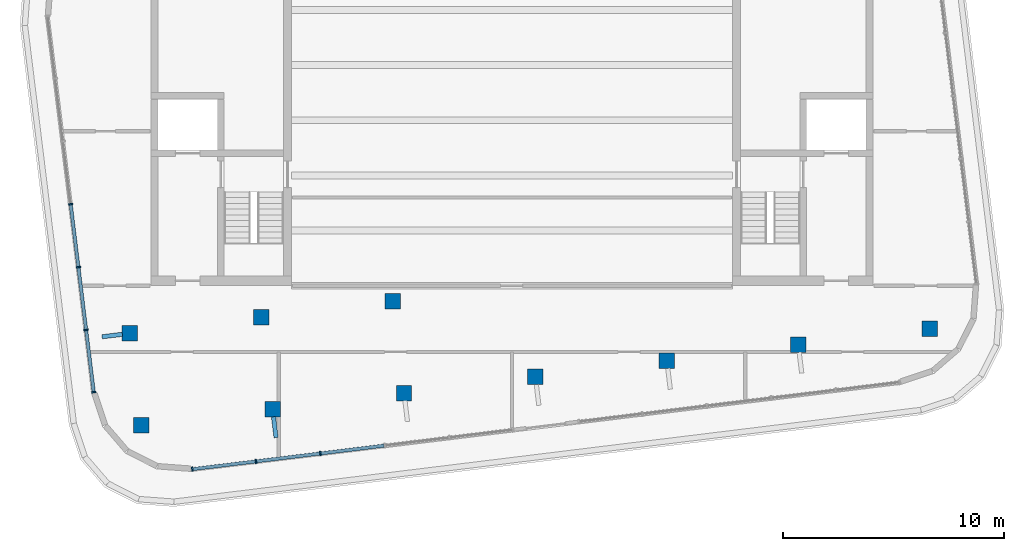
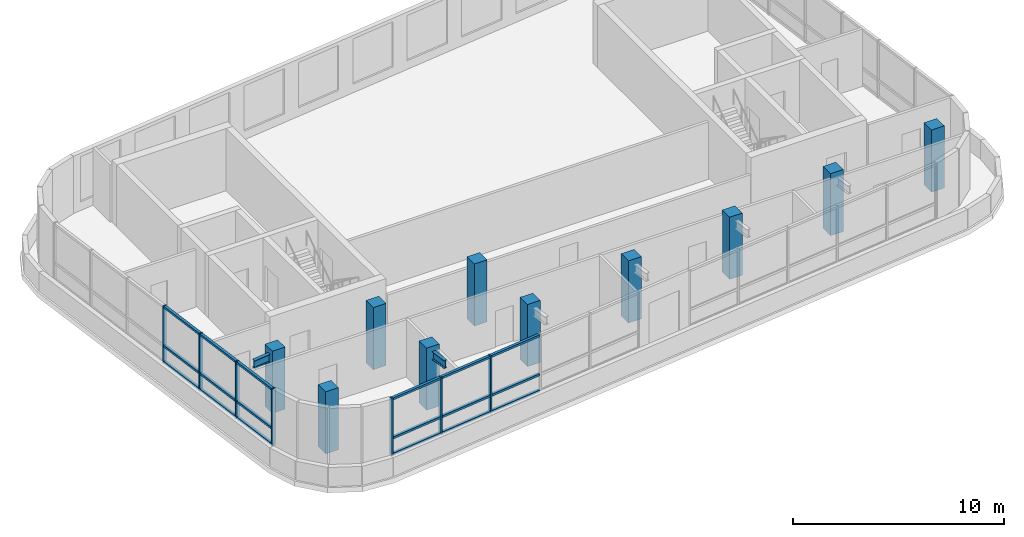
# One storey, part 1 of 8: 25 members, 10 columns, 2 beams, 2 elements without a shape of their own.
"""IFC4 building model written with IfcOpenShell, lengths in metres."""

from ifc_helpers import new_model, si_unit, direction, frame, origin, origin_2d, place, context, subcontext, project, spatial, rectangle, i_section, extrude, material, layer, layer_set, material_profile, profile_set, type_object, element, aggregate, save


model = new_model("IFC4")

# Units and contexts
model_context = context("Model", 3, precision=1e-05, world=origin(), true_north=direction((0.0, 1.0)))
body_context = subcontext(model_context, "Body", "Model", "MODEL_VIEW")
ifc_project = project(units=[si_unit("LENGTHUNIT", "METRE"), si_unit("AREAUNIT", "SQUARE_METRE"), si_unit("VOLUMEUNIT", "CUBIC_METRE"), si_unit("PLANEANGLEUNIT", "RADIAN"), si_unit("MASSUNIT", "GRAM", prefix="KILO")], contexts=[model_context])

# Site, building, storey
site_placement = place(None, origin())
site = spatial("IfcSite", under=ifc_project, at=site_placement, CompositionType="ELEMENT")
building_placement = place(site_placement, origin())
building = spatial("IfcBuilding", under=site, at=building_placement, Name="Torana Hotel and Residences", CompositionType="ELEMENT")
storey_placement = place(building_placement, frame((0.0, 0.0, 350.199951171875)))
storey = spatial("IfcBuildingStorey", under=building, at=storey_placement, Name="C2", CompositionType="ELEMENT", Elevation=350.199951171875)

# Columns
ifc_material_1 = material(Name="Concrete C40/50", Category="concrete")
ifc_material_profile_1 = material_profile(ifc_material_1, rectangle(XDim=0.699951171875, YDim=0.699951171875, at=origin_2d()), Name="RC 700x700")
ifc_profile_set_1 = profile_set([ifc_material_profile_1], Name="Concrete C40/50")
column_type = type_object("IfcColumnType", Name="COLUMN RC 700x700 C40/50", PredefinedType="COLUMN", material=ifc_profile_set_1)
for number, where, z_axis, x_axis, name in (
    (1, (-17.31689453125, -17.159912109375, 0.0), (0.0, 0.0, 1.0), (1.0, 0.0, 0.0), "Column C2"),
    (2, (-16.805908203125, -21.3291015625, 0.0), (0.0, 0.0, 1.0), (1.0, 0.0, 0.0), "Column C2"),
    (3, (-11.362060546875, -16.428955078125, 0.0), (0.0, 0.0, 1.0), (1.0, 0.0, 0.0), "Column C2"),
    (4, (-10.85009765625, -20.597900390625, 0.0), (0.0, 0.0, 1.0), (1.0, 0.0, 0.0), "Column C2"),
    (5, (-5.406982421875, -15.697998046875, 0.0), (0.0, 0.0, 1.0), (1.0, 0.0, 0.0), "Column C2"),
    (6, (-4.89501953125, -19.865966796875, 0.0), (0.0, 0.0, 1.0), (1.0, 0.0, 0.0), "Column C2"),
    (7, (1.06005859375, -19.135009765625, 0.0), (0.0, 0.0, 1.0), (1.0, 0.0, 0.0), "Column C2"),
    (8, (7.01611328125, -18.404052734375, 0.0), (0.0, 0.0, 1.0), (1.0, 0.0, 0.0), "Column C2"),
    (9, (12.970947265625, -17.673095703125, 0.0), (0.0, 0.0, 1.0), (1.0, 0.0, 0.0), "Column C2"),
    (10, (18.926025390625, -16.94189453125, 0.0), (0.0, 0.0, 1.0), (1.0, 0.0, 0.0), "Column C2"),
):
    element("IfcColumn", number, at=place(storey_placement, frame(where, z_axis=z_axis, x_axis=x_axis)), inside=storey, type_object=column_type, Name=name, PredefinedType="COLUMN", context=body_context, shape_type="SweptSolid", body=[
        extrude(rectangle(XDim=0.699951171875, YDim=0.699951171875, at=origin_2d()), origin(), (0.0, 0.0, 1.0), 3.60009765625),
    ])

# Beams
ifc_material_2 = material(Name="Steel S355", Category="steel")
ifc_material_profile_2 = material_profile(ifc_material_2, i_section(OverallWidth=0.19287109375, OverallDepth=0.46728515625, WebThickness=0.011474609375, FlangeThickness=0.01953125, FilletRadius=0.01025390625, at=origin_2d()), Name="457x191x98 UB")
ifc_profile_set_2 = profile_set([ifc_material_profile_2], Name="Steel S355")
beam_type = type_object("IfcBeamType", Name="BALCONY CANTILEVER BEAM 457x191x98 UB", PredefinedType="BEAM", material=ifc_profile_set_2)
beam_1_placement = place(storey_placement, frame((-17.656982421875, -17.201904296875, 3.06640625), z_axis=(-0.992547373648, -0.121859390546, 0.0), x_axis=(0.121859390546, -0.992547373648, 0.0)))
element("IfcBeam", 11, at=beam_1_placement, inside=storey, type_object=beam_type, Name="Balcony cantilever beam", PredefinedType="BEAM", context=body_context, shape_type="SweptSolid", body=[
    extrude(i_section(OverallWidth=0.19287109375, OverallDepth=0.46728515625, WebThickness=0.011474609375, FlangeThickness=0.01953125, FilletRadius=0.01025390625, at=origin_2d()), origin(), (0.0, 0.0, 1.0), 0.925537109375),
])
beam_2_placement = place(storey_placement, frame((-10.80810546875, -20.93798828125, 3.06640625), z_axis=(0.121731845261, -0.992563024623, 0.0), x_axis=(0.992563024623, 0.121731845261, 0.0)))
element("IfcBeam", 12, at=beam_2_placement, inside=storey, type_object=beam_type, Name="Balcony cantilever beam", PredefinedType="BEAM", context=body_context, shape_type="SweptSolid", body=[
    extrude(i_section(OverallWidth=0.19287109375, OverallDepth=0.46728515625, WebThickness=0.011474609375, FlangeThickness=0.01953125, FilletRadius=0.01025390625, at=origin_2d()), origin(), (0.0, 0.0, 1.0), 0.95263671875),
])

# Curtain wall, members
ifc_material_3 = material(Name="Dark anodised aluminium", Category="aluminium")
ifc_layer = layer(ifc_material_3, 0.199951171875)
ifc_layer_set = layer_set([ifc_layer], Name="CW4 CROWN TERRACE GLAZING CURTAIN WALL")
curtain_wall_type = type_object("IfcCurtainWallType", Name="CW4 CROWN TERRACE GLAZING CURTAIN WALL", PredefinedType="NOTDEFINED", material=ifc_layer_set)
curtain_wall_1_placement = place(storey_placement, origin())
curtain_wall_1 = element("IfcCurtainWall", 13, at=curtain_wall_1_placement, inside=storey, type_object=curtain_wall_type, Name="Curtain wall CW4 C2 e0.9", PredefinedType="NOTDEFINED")
ifc_material_4 = material(Name="Dark anodised aluminium", Category="aluminium")
ifc_material_profile_3 = material_profile(ifc_material_4, rectangle(XDim=0.199951171875, YDim=0.070068359375, at=origin_2d()), Name="CW4 MULLION 70x200")
ifc_profile_set_3 = profile_set([ifc_material_profile_3], Name="Dark anodised aluminium")
member_type_1 = type_object("IfcMemberType", Name="CW4 MULLION 70x200", PredefinedType="MULLION", material=ifc_profile_set_3)
member_1_placement = place(storey_placement, frame((-19.999755859375, -11.3056640625, 0.0), z_axis=(0.0, 0.0, 1.0), x_axis=(0.992546226576, 0.121868733109, 0.0)))
member_1 = element("IfcMember", 14, at=member_1_placement, type_object=member_type_1, Name="CW4 mullion 4", PredefinedType="MULLION", context=body_context, shape_type="SweptSolid", body=[
    extrude(rectangle(XDim=0.199951171875, YDim=0.070068359375, at=origin_2d()), origin(), (0.0, 0.0, 1.0), 3.320068359375),
])
member_2_placement = place(storey_placement, frame((-19.649658203125, -14.156005859375, 0.0), z_axis=(0.0, 0.0, 1.0), x_axis=(0.992546226576, 0.121868733109, 0.0)))
member_2 = element("IfcMember", 15, at=member_2_placement, type_object=member_type_1, Name="CW4 mullion 5", PredefinedType="MULLION", context=body_context, shape_type="SweptSolid", body=[
    extrude(rectangle(XDim=0.199951171875, YDim=0.070068359375, at=origin_2d()), origin(), (0.0, 0.0, 1.0), 3.320068359375),
])
member_3_placement = place(storey_placement, frame((-19.2998046875, -17.00634765625, 0.0), z_axis=(0.0, 0.0, 1.0), x_axis=(0.992546226576, 0.121868733109, 0.0)))
member_3 = element("IfcMember", 16, at=member_3_placement, type_object=member_type_1, Name="CW4 mullion 6", PredefinedType="MULLION", context=body_context, shape_type="SweptSolid", body=[
    extrude(rectangle(XDim=0.199951171875, YDim=0.070068359375, at=origin_2d()), origin(), (0.0, 0.0, 1.0), 3.320068359375),
])
member_4_placement = place(storey_placement, frame((-18.9541015625, -19.822021484375, 0.0), z_axis=(0.0, 0.0, 1.0), x_axis=(0.992546226576, 0.121868733109, 0.0)))
member_4 = element("IfcMember", 17, at=member_4_placement, type_object=member_type_1, Name="CW4 mullion 7", PredefinedType="MULLION", context=body_context, shape_type="SweptSolid", body=[
    extrude(rectangle(XDim=0.199951171875, YDim=0.070068359375, at=origin_2d()), origin(), (0.0, 0.0, 1.0), 3.320068359375),
])

curtain_wall_2_placement = place(storey_placement, origin())
curtain_wall_2 = element("IfcCurtainWall", 18, at=curtain_wall_2_placement, inside=storey, type_object=curtain_wall_type, Name="Curtain wall CW4 C2 e0.14-1", PredefinedType="NOTDEFINED")
member_5_placement = place(storey_placement, frame((-14.48583984375, -23.313232421875, 0.0), z_axis=(0.0, 0.0, 1.0), x_axis=(-0.121863328667, 0.99254689014, 0.0)))
member_5 = element("IfcMember", 19, at=member_5_placement, type_object=member_type_1, Name="CW4 mullion 1", PredefinedType="MULLION", context=body_context, shape_type="SweptSolid", body=[
    extrude(rectangle(XDim=0.199951171875, YDim=0.070068359375, at=origin_2d()), origin(), (0.0, 0.0, 1.0), 3.320068359375),
])
member_6_placement = place(storey_placement, frame((-11.6015625, -22.958984375, 0.0), z_axis=(0.0, 0.0, 1.0), x_axis=(-0.121863328667, 0.99254689014, 0.0)))
member_6 = element("IfcMember", 20, at=member_6_placement, type_object=member_type_1, Name="CW4 mullion 2", PredefinedType="MULLION", context=body_context, shape_type="SweptSolid", body=[
    extrude(rectangle(XDim=0.199951171875, YDim=0.070068359375, at=origin_2d()), origin(), (0.0, 0.0, 1.0), 3.320068359375),
])
member_7_placement = place(storey_placement, frame((-8.682373046875, -22.6005859375, 0.0), z_axis=(0.0, 0.0, 1.0), x_axis=(-0.121863328667, 0.99254689014, 0.0)))
member_7 = element("IfcMember", 21, at=member_7_placement, type_object=member_type_1, Name="CW4 mullion 3", PredefinedType="MULLION", context=body_context, shape_type="SweptSolid", body=[
    extrude(rectangle(XDim=0.199951171875, YDim=0.070068359375, at=origin_2d()), origin(), (0.0, 0.0, 1.0), 3.320068359375),
])

# Member
ifc_material_5 = material(Name="Dark anodised aluminium", Category="aluminium")
ifc_material_profile_4 = material_profile(ifc_material_5, rectangle(XDim=0.14990234375, YDim=0.1201171875, at=origin_2d()), Name="CW4 TRANSOM 150x120")
ifc_profile_set_4 = profile_set([ifc_material_profile_4], Name="Dark anodised aluminium")
member_type_2 = type_object("IfcMemberType", Name="CW4 TRANSOM 150x120", PredefinedType="USERDEFINED", material=ifc_profile_set_4)
member_8_placement = place(storey_placement, frame((-19.99560546875, -11.34033203125, 0.06005859375), z_axis=(0.121900337238, -0.992542345586, 0.0), x_axis=(0.992542345586, 0.121900337238, 0.0)))
member_8 = element("IfcMember", 22, at=member_8_placement, type_object=member_type_2, Name="CW4 transom 4.1", ObjectType="TRANSOM", PredefinedType="USERDEFINED", context=body_context, shape_type="SweptSolid", body=[
    extrude(rectangle(XDim=0.14990234375, YDim=0.1201171875, at=origin_2d()), origin(), (0.0, 0.0, 1.0), 2.802001953125),
])

member_9_placement = place(storey_placement, frame((-19.99560546875, -11.34033203125, 1.0), z_axis=(0.121900337238, -0.992542345586, 0.0), x_axis=(0.992542345586, 0.121900337238, 0.0)))
member_9 = element("IfcMember", 23, at=member_9_placement, type_object=member_type_2, Name="CW4 transom 4.2", ObjectType="TRANSOM", PredefinedType="USERDEFINED", context=body_context, shape_type="SweptSolid", body=[
    extrude(rectangle(XDim=0.14990234375, YDim=0.1201171875, at=origin_2d()), origin(), (0.0, 0.0, 1.0), 2.802001953125),
])

member_10_placement = place(storey_placement, frame((-19.99560546875, -11.34033203125, 3.260009765625), z_axis=(0.121900337238, -0.992542345586, 0.0), x_axis=(0.992542345586, 0.121900337238, 0.0)))
member_10 = element("IfcMember", 24, at=member_10_placement, type_object=member_type_2, Name="CW4 transom 4.3", ObjectType="TRANSOM", PredefinedType="USERDEFINED", context=body_context, shape_type="SweptSolid", body=[
    extrude(rectangle(XDim=0.14990234375, YDim=0.1201171875, at=origin_2d()), origin(), (0.0, 0.0, 1.0), 2.802001953125),
])

member_11_placement = place(storey_placement, frame((-19.6455078125, -14.190673828125, 0.06005859375), z_axis=(0.121900337238, -0.992542345586, 0.0), x_axis=(0.992542345586, 0.121900337238, 0.0)))
member_11 = element("IfcMember", 25, at=member_11_placement, type_object=member_type_2, Name="CW4 transom 5.1", ObjectType="TRANSOM", PredefinedType="USERDEFINED", context=body_context, shape_type="SweptSolid", body=[
    extrude(rectangle(XDim=0.14990234375, YDim=0.1201171875, at=origin_2d()), origin(), (0.0, 0.0, 1.0), 2.802001953125),
])

member_12_placement = place(storey_placement, frame((-19.6455078125, -14.190673828125, 1.0), z_axis=(0.121900337238, -0.992542345586, 0.0), x_axis=(0.992542345586, 0.121900337238, 0.0)))
member_12 = element("IfcMember", 26, at=member_12_placement, type_object=member_type_2, Name="CW4 transom 5.2", ObjectType="TRANSOM", PredefinedType="USERDEFINED", context=body_context, shape_type="SweptSolid", body=[
    extrude(rectangle(XDim=0.14990234375, YDim=0.1201171875, at=origin_2d()), origin(), (0.0, 0.0, 1.0), 2.802001953125),
])

member_13_placement = place(storey_placement, frame((-19.6455078125, -14.190673828125, 3.260009765625), z_axis=(0.121900337238, -0.992542345586, 0.0), x_axis=(0.992542345586, 0.121900337238, 0.0)))
member_13 = element("IfcMember", 27, at=member_13_placement, type_object=member_type_2, Name="CW4 transom 5.3", ObjectType="TRANSOM", PredefinedType="USERDEFINED", context=body_context, shape_type="SweptSolid", body=[
    extrude(rectangle(XDim=0.14990234375, YDim=0.1201171875, at=origin_2d()), origin(), (0.0, 0.0, 1.0), 2.802001953125),
])

member_14_placement = place(storey_placement, frame((-19.29541015625, -17.041259765625, 0.06005859375), z_axis=(0.121862324462, -0.992547013434, 0.0), x_axis=(0.992547013434, 0.121862324462, 0.0)))
member_14 = element("IfcMember", 28, at=member_14_placement, type_object=member_type_2, Name="CW4 transom 6.1", ObjectType="TRANSOM", PredefinedType="USERDEFINED", context=body_context, shape_type="SweptSolid", body=[
    extrude(rectangle(XDim=0.14990234375, YDim=0.1201171875, at=origin_2d()), origin(), (0.0, 0.0, 1.0), 2.7666015625),
])

member_15_placement = place(storey_placement, frame((-19.29541015625, -17.041259765625, 1.0), z_axis=(0.121862324462, -0.992547013434, 0.0), x_axis=(0.992547013434, 0.121862324462, 0.0)))
member_15 = element("IfcMember", 29, at=member_15_placement, type_object=member_type_2, Name="CW4 transom 6.2", ObjectType="TRANSOM", PredefinedType="USERDEFINED", context=body_context, shape_type="SweptSolid", body=[
    extrude(rectangle(XDim=0.14990234375, YDim=0.1201171875, at=origin_2d()), origin(), (0.0, 0.0, 1.0), 2.7666015625),
])

member_16_placement = place(storey_placement, frame((-19.29541015625, -17.041259765625, 3.260009765625), z_axis=(0.121862324462, -0.992547013434, 0.0), x_axis=(0.992547013434, 0.121862324462, 0.0)))
member_16 = element("IfcMember", 30, at=member_16_placement, type_object=member_type_2, Name="CW4 transom 6.3", ObjectType="TRANSOM", PredefinedType="USERDEFINED", context=body_context, shape_type="SweptSolid", body=[
    extrude(rectangle(XDim=0.14990234375, YDim=0.1201171875, at=origin_2d()), origin(), (0.0, 0.0, 1.0), 2.7666015625),
])

aggregate(curtain_wall_1, [member_1, member_2, member_3, member_4, member_8, member_9, member_10, member_11, member_12, member_13, member_14, member_15, member_16])

member_17_placement = place(storey_placement, frame((-14.451171875, -23.308837890625, 0.06005859375), z_axis=(0.992553501178, 0.121809471307, 0.0), x_axis=(-0.121809471307, 0.992553501178, 0.0)))
member_17 = element("IfcMember", 31, at=member_17_placement, type_object=member_type_2, Name="CW4 transom 1.1", ObjectType="TRANSOM", PredefinedType="USERDEFINED", context=body_context, shape_type="SweptSolid", body=[
    extrude(rectangle(XDim=0.14990234375, YDim=0.1201171875, at=origin_2d()), origin(), (0.0, 0.0, 1.0), 2.836181640625),
])

member_18_placement = place(storey_placement, frame((-14.451171875, -23.308837890625, 1.0), z_axis=(0.992553501178, 0.121809471307, 0.0), x_axis=(-0.121809471307, 0.992553501178, 0.0)))
member_18 = element("IfcMember", 32, at=member_18_placement, type_object=member_type_2, Name="CW4 transom 1.2", ObjectType="TRANSOM", PredefinedType="USERDEFINED", context=body_context, shape_type="SweptSolid", body=[
    extrude(rectangle(XDim=0.14990234375, YDim=0.1201171875, at=origin_2d()), origin(), (0.0, 0.0, 1.0), 2.836181640625),
])

member_19_placement = place(storey_placement, frame((-14.451171875, -23.308837890625, 3.260009765625), z_axis=(0.992553501178, 0.121809471307, 0.0), x_axis=(-0.121809471307, 0.992553501178, 0.0)))
member_19 = element("IfcMember", 33, at=member_19_placement, type_object=member_type_2, Name="CW4 transom 1.3", ObjectType="TRANSOM", PredefinedType="USERDEFINED", context=body_context, shape_type="SweptSolid", body=[
    extrude(rectangle(XDim=0.14990234375, YDim=0.1201171875, at=origin_2d()), origin(), (0.0, 0.0, 1.0), 2.836181640625),
])

member_20_placement = place(storey_placement, frame((-11.56689453125, -22.954833984375, 0.06005859375), z_axis=(0.992547605974, 0.121857498232, 0.0), x_axis=(-0.121857498232, 0.992547605974, 0.0)))
member_20 = element("IfcMember", 34, at=member_20_placement, type_object=member_type_2, Name="CW4 transom 2.1", ObjectType="TRANSOM", PredefinedType="USERDEFINED", context=body_context, shape_type="SweptSolid", body=[
    extrude(rectangle(XDim=0.14990234375, YDim=0.1201171875, at=origin_2d()), origin(), (0.0, 0.0, 1.0), 2.87109375),
])

member_21_placement = place(storey_placement, frame((-11.56689453125, -22.954833984375, 1.0), z_axis=(0.992547605974, 0.121857498232, 0.0), x_axis=(-0.121857498232, 0.992547605974, 0.0)))
member_21 = element("IfcMember", 35, at=member_21_placement, type_object=member_type_2, Name="CW4 transom 2.2", ObjectType="TRANSOM", PredefinedType="USERDEFINED", context=body_context, shape_type="SweptSolid", body=[
    extrude(rectangle(XDim=0.14990234375, YDim=0.1201171875, at=origin_2d()), origin(), (0.0, 0.0, 1.0), 2.87109375),
])

member_22_placement = place(storey_placement, frame((-11.56689453125, -22.954833984375, 3.260009765625), z_axis=(0.992547605974, 0.121857498232, 0.0), x_axis=(-0.121857498232, 0.992547605974, 0.0)))
member_22 = element("IfcMember", 36, at=member_22_placement, type_object=member_type_2, Name="CW4 transom 2.3", ObjectType="TRANSOM", PredefinedType="USERDEFINED", context=body_context, shape_type="SweptSolid", body=[
    extrude(rectangle(XDim=0.14990234375, YDim=0.1201171875, at=origin_2d()), origin(), (0.0, 0.0, 1.0), 2.87109375),
])

member_23_placement = place(storey_placement, frame((-8.647705078125, -22.596435546875, 0.06005859375), z_axis=(0.992547605974, 0.121857498232, 0.0), x_axis=(-0.121857498232, 0.992547605974, 0.0)))
member_23 = element("IfcMember", 37, at=member_23_placement, type_object=member_type_2, Name="CW4 transom 3.1", ObjectType="TRANSOM", PredefinedType="USERDEFINED", context=body_context, shape_type="SweptSolid", body=[
    extrude(rectangle(XDim=0.14990234375, YDim=0.1201171875, at=origin_2d()), origin(), (0.0, 0.0, 1.0), 2.87109375),
])

member_24_placement = place(storey_placement, frame((-8.647705078125, -22.596435546875, 1.0), z_axis=(0.992547605974, 0.121857498232, 0.0), x_axis=(-0.121857498232, 0.992547605974, 0.0)))
member_24 = element("IfcMember", 38, at=member_24_placement, type_object=member_type_2, Name="CW4 transom 3.2", ObjectType="TRANSOM", PredefinedType="USERDEFINED", context=body_context, shape_type="SweptSolid", body=[
    extrude(rectangle(XDim=0.14990234375, YDim=0.1201171875, at=origin_2d()), origin(), (0.0, 0.0, 1.0), 2.87109375),
])

member_25_placement = place(storey_placement, frame((-8.647705078125, -22.596435546875, 3.260009765625), z_axis=(0.992547605974, 0.121857498232, 0.0), x_axis=(-0.121857498232, 0.992547605974, 0.0)))
member_25 = element("IfcMember", 39, at=member_25_placement, type_object=member_type_2, Name="CW4 transom 3.3", ObjectType="TRANSOM", PredefinedType="USERDEFINED", context=body_context, shape_type="SweptSolid", body=[
    extrude(rectangle(XDim=0.14990234375, YDim=0.1201171875, at=origin_2d()), origin(), (0.0, 0.0, 1.0), 2.87109375),
])

aggregate(curtain_wall_2, [member_5, member_6, member_7, member_17, member_18, member_19, member_20, member_21, member_22, member_23, member_24, member_25])

save(model, "model.ifc")
